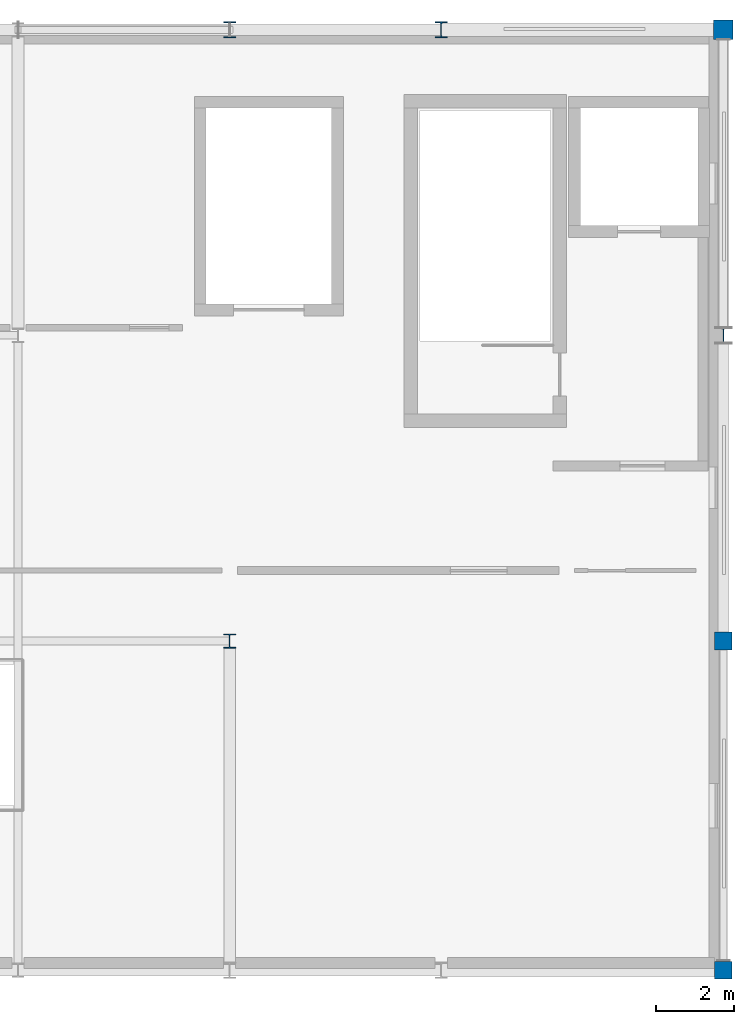
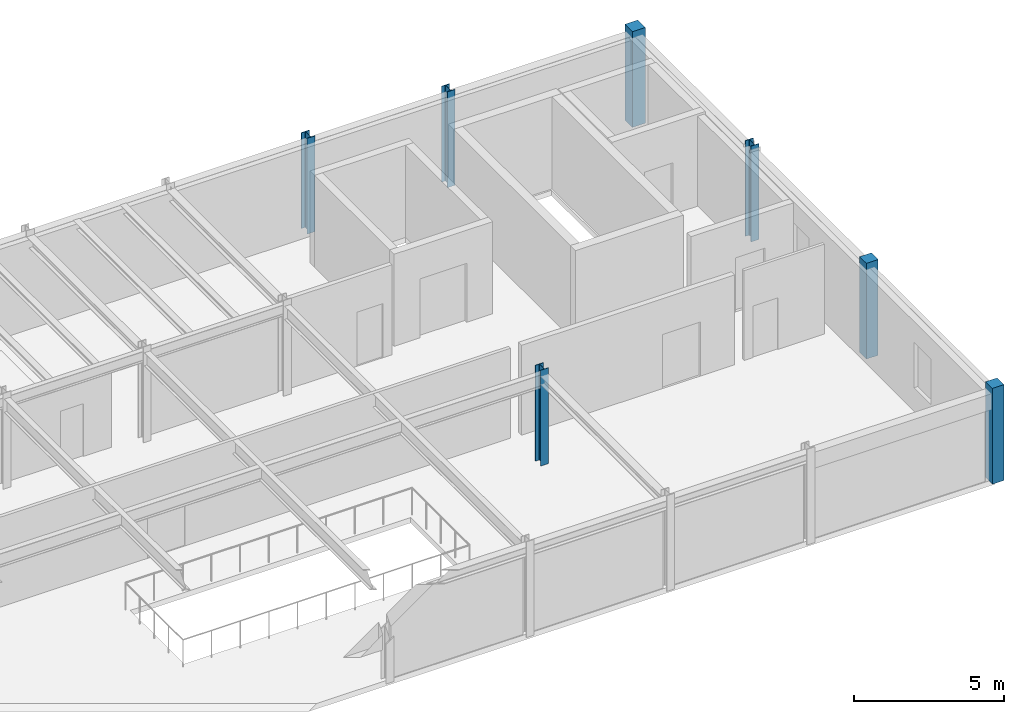
# One storey, part 2 of 8: 7 columns.
"""IFC4 building model written with IfcOpenShell, lengths in metres."""

import ifcopenshell
import ifcopenshell.guid

model = None  # the IFC model being written
_history = None  # IfcOwnerHistory: only IFC2X3 demands one
_inside = {}  # id of a spatial element -> (the spatial element, [elements in it])
_under = {}  # id of a project, library or spatial element -> (it, [spatial elements below it])
_declared = {}  # id of a project -> (the project, [libraries it declares])
_typed = {}  # id of a type object -> (the type object, [elements of that type])
_made_of = {}  # id of a material, layer set ... -> (it, [elements and type objects made of it])


def new_model(schema):
    """Start an empty IFC model of exactly this schema.

    Asked for "IFC4X3", IfcOpenShell would pick the latest addendum, in which some entities
    have other attributes; the version numbers below select the first issue.
    IFC2X3 requires an IfcOwnerHistory on every rooted entity: one is made here for all.
    """
    global model, _history
    if schema == "IFC4X3":
        model = ifcopenshell.file(schema_version=(4, 3, 0, 0))
    else:
        model = ifcopenshell.file(schema=schema)
    _inside.clear()
    _under.clear()
    _declared.clear()
    _typed.clear()
    _made_of.clear()
    _history = None
    if model.schema == "IFC2X3":
        org = make("IfcOrganization", Name="unknown")
        user = make(
            "IfcPersonAndOrganization",
            ThePerson=make("IfcPerson", FamilyName="unknown"),
            TheOrganization=org,
        )
        app = make(
            "IfcApplication",
            ApplicationDeveloper=org,
            Version="unknown",
            ApplicationFullName="unknown",
            ApplicationIdentifier="unknown",
        )
        _history = make(
            "IfcOwnerHistory",
            OwningUser=user,
            OwningApplication=app,
            ChangeAction="ADDED",
            CreationDate=0,
        )
    return model


def make(cls, **values):
    """One entity of the class cls with the attributes given. An attribute that is None is left unset."""
    return model.create_entity(
        cls, **{name: value for name, value in values.items() if value is not None}
    )


def rooted(cls, **values):
    """An entity with a GlobalId (a new one), such as an element, a storey or a relation."""
    return make(cls, GlobalId=ifcopenshell.guid.new(), OwnerHistory=_history, **values)


def si_unit(unit_type, name, prefix=None):
    """IfcSIUnit, for example si_unit("LENGTHUNIT", "METRE", prefix="MILLI")."""
    return make("IfcSIUnit", UnitType=unit_type, Prefix=prefix, Name=name)


def assignment(units):
    """IfcUnitAssignment: the units of a project."""
    return None if units is None else make("IfcUnitAssignment", Units=units)


def point(xyz):
    """IfcCartesianPoint."""
    return None if xyz is None else make("IfcCartesianPoint", Coordinates=xyz)


def direction(xyz):
    """IfcDirection."""
    return None if xyz is None else make("IfcDirection", DirectionRatios=xyz)


def frame(location, z_axis=None, x_axis=None):
    """IfcAxis2Placement3D, a coordinate frame: its origin and axes. An axis left out is left unset."""
    return make(
        "IfcAxis2Placement3D",
        Location=point(location),
        Axis=direction(z_axis),
        RefDirection=direction(x_axis),
    )


def frame_2d(location, x_axis=None):
    """IfcAxis2Placement2D, a coordinate frame in the plane: its origin and x axis."""
    return make(
        "IfcAxis2Placement2D", Location=point(location), RefDirection=direction(x_axis)
    )


def origin():
    """The frame at (0, 0, 0) with its axes left unset."""
    return frame((0.0, 0.0, 0.0))


def origin_2d():
    """The frame at (0, 0) in the plane with its x axis left unset."""
    return frame_2d((0.0, 0.0))


def place(relative_to, where):
    """IfcLocalPlacement: puts the frame where relative to a parent placement (None: the world)."""
    return make(
        "IfcLocalPlacement", PlacementRelTo=relative_to, RelativePlacement=where
    )


def context(
    kind, dimensions, precision=None, world=None, true_north=None, identifier=None
):
    """IfcGeometricRepresentationContext, for example the 3D "Model" context."""
    return make(
        "IfcGeometricRepresentationContext",
        ContextIdentifier=identifier,
        ContextType=kind,
        CoordinateSpaceDimension=dimensions,
        Precision=precision,
        WorldCoordinateSystem=world,
        TrueNorth=true_north,
    )


def subcontext(parent, identifier, kind, view, scale=None):
    """IfcGeometricRepresentationSubContext, for example "Body" below "Model"."""
    return make(
        "IfcGeometricRepresentationSubContext",
        ContextIdentifier=identifier,
        ContextType=kind,
        ParentContext=parent,
        TargetScale=scale,
        TargetView=view,
    )


def project(units=None, contexts=None):
    """IfcProject with its units and contexts."""
    return rooted(
        "IfcProject",
        Name="project",
        RepresentationContexts=contexts,
        UnitsInContext=assignment(units),
    )


def spatial(cls, under=None, at=None, **own):
    """A site, building, storey or space (cls), placed at a placement, below another one or the project."""
    s = rooted(cls, ObjectPlacement=at, **own)
    if under is not None:
        _under.setdefault(under.id(), (under, []))[1].append(s)
    return s


def profile(cls, at=None, kind="AREA", **sizes):
    """A parametric profile (cls). Its sizes go by their IFC names, for example OverallWidth=200.0."""
    return make(cls, ProfileType=kind, Position=at, **sizes)


def rectangle(**sizes):
    """IfcRectangleProfileDef."""
    return profile("IfcRectangleProfileDef", **sizes)


def i_section(**sizes):
    """IfcIShapeProfileDef."""
    return profile("IfcIShapeProfileDef", **sizes)


def extrude(swept, where, along, depth):
    """IfcExtrudedAreaSolid: the profile swept, set in the frame where, extruded along a direction by depth."""
    return make(
        "IfcExtrudedAreaSolid",
        SweptArea=swept,
        Position=where,
        ExtrudedDirection=direction(along),
        Depth=depth,
    )


def shape(context_of_items, identifier, shape_type, items):
    """IfcShapeRepresentation: the items that make up one representation, for example the "Body"."""
    return make(
        "IfcShapeRepresentation",
        ContextOfItems=context_of_items,
        RepresentationIdentifier=identifier,
        RepresentationType=shape_type,
        Items=items,
    )


def material(Name=None, Category=None):
    """IfcMaterial."""
    return make("IfcMaterial", Name=Name, Category=Category)


def material_profile(
    of_material, cross_section, Name=None, Category=None, Priority=None
):
    """IfcMaterialProfile: a cross section and its material."""
    return make(
        "IfcMaterialProfile",
        Name=Name,
        Material=of_material,
        Profile=cross_section,
        Priority=Priority,
        Category=Category,
    )


def profile_set(profiles, Name=None, composite=None):
    """IfcMaterialProfileSet."""
    return make(
        "IfcMaterialProfileSet",
        Name=Name,
        MaterialProfiles=profiles,
        CompositeProfile=composite,
    )


def made_of(thing, what):
    """Note that an element or type object is made of a material, layer set ...; save() writes the relation."""
    if what is not None:
        _made_of.setdefault(what.id(), (what, []))[1].append(thing)
    return thing


def type_object(cls, material=None, **own):
    """A type object (cls), such as IfcWallType, which elements share."""
    return made_of(rooted(cls, **own), material)


def element(
    cls,
    number,
    at=None,
    inside=None,
    cuts=None,
    type_object=None,
    material=None,
    context=None,
    identifier="Body",
    shape_type=None,
    held_by="IfcProductDefinitionShape",
    body=None,
    shapes=None,
    **own,
):
    """One element of the class cls, such as IfcWall. Its Tag is "e" and its number.

    at: its placement. inside: the storey or other place that contains it. cuts: it is an
    opening in that element (IfcRelVoidsElement). A single representation is given by context,
    identifier, shape_type and body (its items); several are given by shapes. held_by: the class
    of the entity that holds the representations. save() writes the other relations.
    """
    e = rooted(cls, Tag="e%d" % number, ObjectPlacement=at, **own)
    if body is not None:
        shapes = [shape(context, identifier, shape_type, body)]
    if shapes is not None:
        e.Representation = make(held_by, Representations=shapes)
    if inside is not None:
        _inside.setdefault(inside.id(), (inside, []))[1].append(e)
    if cuts is not None:
        rooted(
            "IfcRelVoidsElement", RelatingBuildingElement=cuts, RelatedOpeningElement=e
        )
    if type_object is not None:
        _typed.setdefault(type_object.id(), (type_object, []))[1].append(e)
    return made_of(e, material)


def aggregate(whole, parts):
    """IfcRelAggregates: a whole, such as a stair, and the parts it consists of."""
    return rooted("IfcRelAggregates", RelatingObject=whole, RelatedObjects=parts)


def save(model, path):
    """Write the relations noted so far, then the file.

    IfcRelAggregates (storeys below a building ...), IfcRelContainedInSpatialStructure (elements
    in a storey), IfcRelDefinesByType, IfcRelAssociatesMaterial and IfcRelDeclares: one each for
    every whole, place, type object, material and project.
    """
    for whole, parts in _under.values():
        aggregate(whole, parts)
    for where, things in _inside.values():
        rooted(
            "IfcRelContainedInSpatialStructure",
            RelatedElements=things,
            RelatingStructure=where,
        )
    for kind, things in _typed.values():
        rooted("IfcRelDefinesByType", RelatedObjects=things, RelatingType=kind)
    for what, things in _made_of.values():
        rooted("IfcRelAssociatesMaterial", RelatedObjects=things, RelatingMaterial=what)
    for by, libraries in _declared.values():
        rooted("IfcRelDeclares", RelatingContext=by, RelatedDefinitions=libraries)
    model.write(path)


model = new_model("IFC4")

# Units and contexts
model_context = context("Model", 3, precision=1e-05, world=origin(), true_north=direction((0.0, 1.0)))
body_context = subcontext(model_context, "Body", "Model", "MODEL_VIEW")
ifc_project = project(units=[si_unit("LENGTHUNIT", "METRE"), si_unit("AREAUNIT", "SQUARE_METRE"), si_unit("VOLUMEUNIT", "CUBIC_METRE"), si_unit("PLANEANGLEUNIT", "RADIAN"), si_unit("MASSUNIT", "GRAM", prefix="KILO")], contexts=[model_context])

# Site, building, storey
site_placement = place(None, origin())
site = spatial("IfcSite", under=ifc_project, at=site_placement, CompositionType="ELEMENT")
building_placement = place(site_placement, origin())
building = spatial("IfcBuilding", under=site, at=building_placement, Name="Tazoul Stagehouse", CompositionType="ELEMENT")
storey_placement = place(building_placement, frame((0.0, 0.0, 21.0)))
storey = spatial("IfcBuildingStorey", under=building, at=storey_placement, Name="L05", CompositionType="ELEMENT", Elevation=21.0)

# Columns
ifc_material_1 = material(Name="Concrete C40/50", Category="concrete")
ifc_material_profile_1 = material_profile(ifc_material_1, rectangle(XDim=0.449951171875, YDim=0.449951171875, at=origin_2d()), Name="RC 450x450")
ifc_profile_set_1 = profile_set([ifc_material_profile_1], Name="Concrete C40/50")
column_type_1 = type_object("IfcColumnType", Name="RC Column 450x450 (Exterior)", PredefinedType="COLUMN", material=ifc_profile_set_1)
for number, where, z_axis, x_axis, name in (
    (1, (102.60009765625, 87.800048828125, 0.0), (0.0, 0.0, 1.0), (1.0, 0.0, 0.0), "L05 Column C-01E at 16/N"),
    (2, (102.60009765625, 96.199951171875, 0.0), (0.0, 0.0, 1.0), (1.0, 0.0, 0.0), "L05 Column C-01E at 16/P"),
):
    element("IfcColumn", number, at=place(storey_placement, frame(where, z_axis=z_axis, x_axis=x_axis)), inside=storey, type_object=column_type_1, Name=name, PredefinedType="COLUMN", context=body_context, shape_type="SweptSolid", body=[
        extrude(rectangle(XDim=0.449951171875, YDim=0.449951171875, at=origin_2d()), origin(), (0.0, 0.0, 1.0), 3.89990234375),
    ])
ifc_material_profile_2 = material_profile(ifc_material_1, rectangle(XDim=0.5, YDim=0.5, at=origin_2d()), Name="RC 500x500")
ifc_profile_set_2 = profile_set([ifc_material_profile_2], Name="Concrete C40/50")
column_type_2 = type_object("IfcColumnType", Name="RC Column 500x500 (Exterior)", PredefinedType="COLUMN", material=ifc_profile_set_2)
column_1_placement = place(storey_placement, frame((102.60009765625, 111.800048828125, 0.0), z_axis=(0.0, 0.0, 1.0), x_axis=(1.0, 0.0, 0.0)))
element("IfcColumn", 3, at=column_1_placement, inside=storey, type_object=column_type_2, Name="L05 Column C-02E at 16/R", PredefinedType="COLUMN", context=body_context, shape_type="SweptSolid", body=[
    extrude(rectangle(XDim=0.5, YDim=0.5, at=origin_2d()), origin(), (0.0, 0.0, 1.0), 3.89990234375),
])
ifc_material_2 = material(Name="Steel S355", Category="steel")
ifc_material_profile_3 = material_profile(ifc_material_2, i_section(OverallWidth=0.300048828125, OverallDepth=0.360107421875, WebThickness=0.012451171875, FlangeThickness=0.0224609375, FilletRadius=0.027099609375, at=origin_2d()), Name="HEB 360")
ifc_profile_set_3 = profile_set([ifc_material_profile_3], Name="Steel S355")
column_type_3 = type_object("IfcColumnType", Name="Steel Column HEB 360", PredefinedType="COLUMN", material=ifc_profile_set_3)
column_2_placement = place(storey_placement, frame((90.0, 96.199951171875, 0.0), z_axis=(0.0, 0.0, 1.0), x_axis=(1.0, 0.0, 0.0)))
element("IfcColumn", 4, at=column_2_placement, inside=storey, type_object=column_type_3, Name="L05 Column SC-03 at 14/P", PredefinedType="COLUMN", context=body_context, shape_type="SweptSolid", body=[
    extrude(i_section(OverallWidth=0.300048828125, OverallDepth=0.360107421875, WebThickness=0.012451171875, FlangeThickness=0.0224609375, FilletRadius=0.027099609375, at=origin_2d()), origin(), (0.0, 0.0, 1.0), 3.89990234375),
])
ifc_material_profile_4 = material_profile(ifc_material_2, i_section(OverallWidth=0.300048828125, OverallDepth=0.39990234375, WebThickness=0.013427734375, FlangeThickness=0.02392578125, FilletRadius=0.027099609375, at=origin_2d()), Name="HEB 400")
ifc_profile_set_4 = profile_set([ifc_material_profile_4], Name="Steel S355")
column_type_4 = type_object("IfcColumnType", Name="Steel Column HEB 400 (Exterior)", PredefinedType="COLUMN", material=ifc_profile_set_4)
for number, where, z_axis, x_axis, name in (
    (5, (90.0, 111.800048828125, 0.0), (0.0, 0.0, 1.0), (1.0, 0.0, 0.0), "L05 Column SC-04E at 14/R"),
    (6, (95.39990234375, 111.800048828125, 0.0), (0.0, 0.0, 1.0), (1.0, 0.0, 0.0), "L05 Column SC-04E at 15/R"),
    (7, (102.60009765625, 104.0, 0.0), (0.0, 0.0, 1.0), (1.0, 0.0, 0.0), "L05 Column SC-04E at 16/Q"),
):
    element("IfcColumn", number, at=place(storey_placement, frame(where, z_axis=z_axis, x_axis=x_axis)), inside=storey, type_object=column_type_4, Name=name, PredefinedType="COLUMN", context=body_context, shape_type="SweptSolid", body=[
        extrude(i_section(OverallWidth=0.300048828125, OverallDepth=0.39990234375, WebThickness=0.013427734375, FlangeThickness=0.02392578125, FilletRadius=0.027099609375, at=origin_2d()), origin(), (0.0, 0.0, 1.0), 3.89990234375),
    ])

save(model, "model.ifc")
